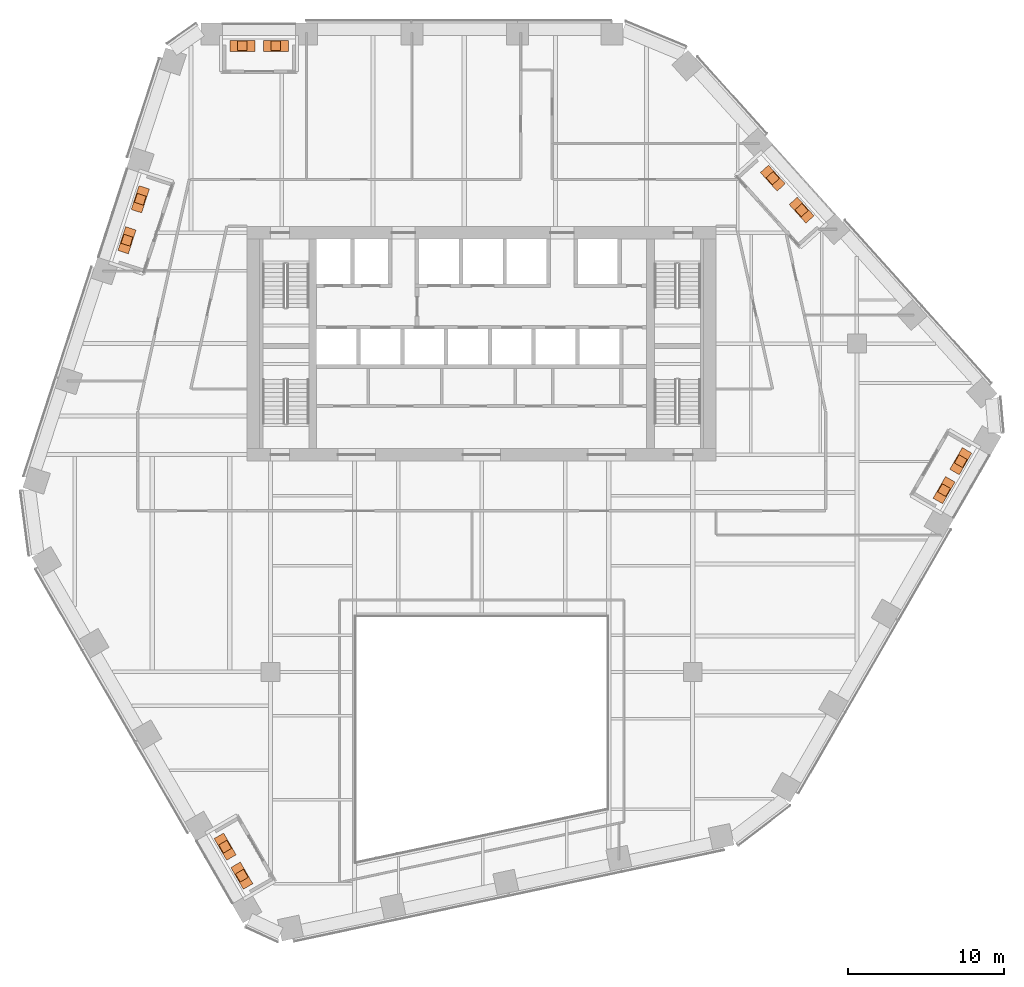
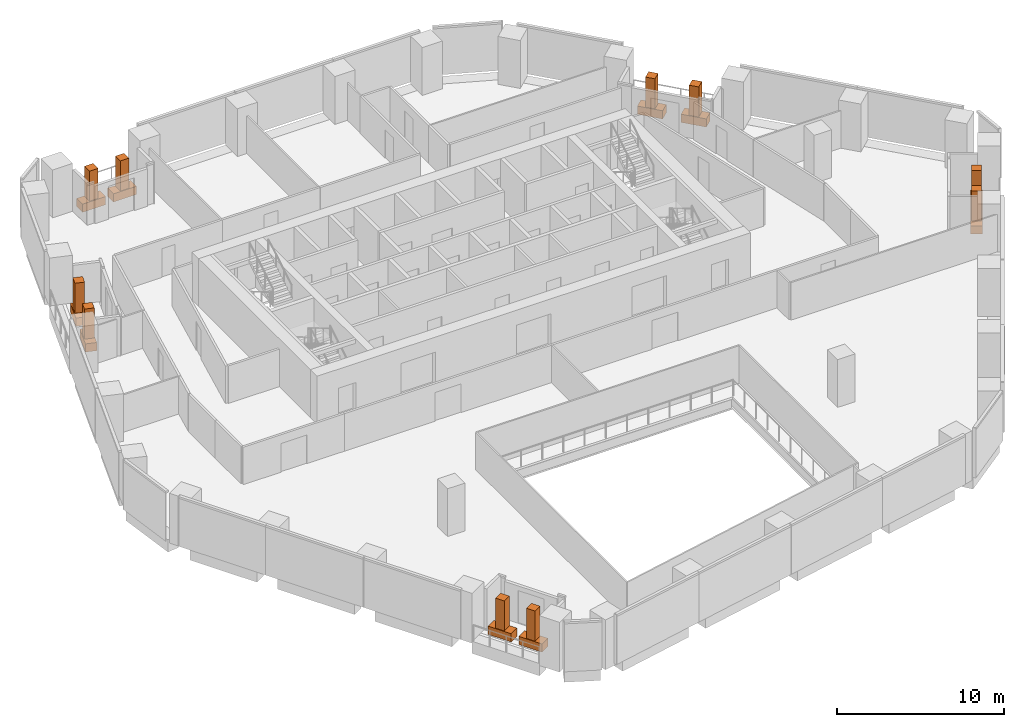
# One storey, part 26 of 26: 10 geographic elements, 10 proxies.
"""IFC4 building model written with IfcOpenShell, lengths in metres."""

from ifc_helpers import new_model, si_unit, direction, frame, origin, origin_2d, place, context, subcontext, project, spatial, rectangle, extrude, material, type_object, element, save


model = new_model("IFC4")

# Units and contexts
model_context = context("Model", 3, precision=1e-05, world=origin(), true_north=direction((0.0, 1.0)))
body_context = subcontext(model_context, "Body", "Model", "MODEL_VIEW")
ifc_project = project(units=[si_unit("LENGTHUNIT", "METRE"), si_unit("AREAUNIT", "SQUARE_METRE"), si_unit("VOLUMEUNIT", "CUBIC_METRE"), si_unit("PLANEANGLEUNIT", "RADIAN"), si_unit("MASSUNIT", "GRAM", prefix="KILO")], contexts=[model_context])

# Site, building, storey
site_placement = place(None, origin())
site = spatial("IfcSite", under=ifc_project, at=site_placement, CompositionType="ELEMENT")
building_placement = place(site_placement, origin())
building = spatial("IfcBuilding", under=site, at=building_placement, Name="Isthmus Gate Tower", CompositionType="ELEMENT")
storey_placement = place(building_placement, frame((0.0, 0.0, 144.39990234375)))
storey = spatial("IfcBuildingStorey", under=building, at=storey_placement, Name="L35", CompositionType="ELEMENT", Elevation=144.39990234375)

# Geographic elements
ifc_material_1 = material(Name="Plant material, broadleaf tree")
geographic_element_type = type_object("IfcGeographicElementType", Name="BROADLEAF TREE 2200 HIGH", PredefinedType="USERDEFINED", material=ifc_material_1)
for number, where, z_axis, x_axis, name in (
    (1, (-13.16748046875, 26.550048828125, 0.60009765625), (0.0, 0.0, 1.0), (-1.0, 0.0, 0.0), "TREE"),
    (2, (-15.306396484375, 26.550048828125, 0.60009765625), (0.0, 0.0, 1.0), (-1.0, 0.0, 0.0), "TREE"),
    (3, (-21.8359375, 16.733642578125, 0.60009765625), (0.0, 0.0, 1.0), (-0.309016994375, -0.951056516295, 0.0), "TREE"),
    (4, (-22.6875, 14.11279296875, 0.60009765625), (0.0, 0.0, 1.0), (-0.309016994375, -0.951056516295, 0.0), "TREE"),
    (5, (-16.4091796875, -24.67822265625, 0.60009765625), (0.0, 0.0, 1.0), (0.5, -0.866025403784, 0.0), "TREE"),
    (6, (-15.33984375, -26.53076171875, 0.60009765625), (0.0, 0.0, 1.0), (0.5, -0.866025403784, 0.0), "TREE"),
    (7, (29.57666015625, -1.871826171875, 0.60009765625), (0.0, 0.0, 1.0), (0.5, 0.866025403784, 0.0), "TREE"),
    (8, (30.646240234375, -0.019287109375, 0.60009765625), (0.0, 0.0, 1.0), (0.5, 0.866025403784, 0.0), "TREE"),
    (9, (20.46435546875, 16.035888671875, 0.60009765625), (0.0, 0.0, 1.0), (-0.669130606359, 0.743144825477, 0.0), "TREE"),
    (10, (18.620361328125, 18.083984375, 0.60009765625), (0.0, 0.0, 1.0), (-0.669130606359, 0.743144825477, 0.0), "TREE"),
):
    element("IfcGeographicElement", number, at=place(storey_placement, frame(where, z_axis=z_axis, x_axis=x_axis)), inside=storey, type_object=geographic_element_type, Name=name, ObjectType="TREE", PredefinedType="USERDEFINED", context=body_context, shape_type="SweptSolid", body=[
        extrude(rectangle(XDim=0.60009765625, YDim=0.60009765625, at=origin_2d()), origin(), (0.0, 0.0, 1.0), 2.199951171875),
    ])

# Proxies
ifc_material_2 = material(Name="Concrete f'c 40 MPa", Category="concrete")
building_element_proxy_type = type_object("IfcBuildingElementProxyType", Name="CONCRETE PLANTER 1600 X 700 X 600", PredefinedType="USERDEFINED", material=ifc_material_2)
for number, where, z_axis, x_axis, name in (
    (11, (-13.16748046875, 26.550048828125, 0.0), (0.0, 0.0, 1.0), (-1.0, 0.0, 0.0), "PLANTER"),
    (12, (-15.306396484375, 26.550048828125, 0.0), (0.0, 0.0, 1.0), (-1.0, 0.0, 0.0), "PLANTER"),
    (13, (-21.8359375, 16.733642578125, 0.0), (0.0, 0.0, 1.0), (-0.309016994375, -0.951056516295, 0.0), "PLANTER"),
    (14, (-22.6875, 14.11279296875, 0.0), (0.0, 0.0, 1.0), (-0.309016994375, -0.951056516295, 0.0), "PLANTER"),
    (15, (-16.4091796875, -24.67822265625, 0.0), (0.0, 0.0, 1.0), (0.5, -0.866025403784, 0.0), "PLANTER"),
    (16, (-15.33984375, -26.53076171875, 0.0), (0.0, 0.0, 1.0), (0.5, -0.866025403784, 0.0), "PLANTER"),
    (17, (29.57666015625, -1.871826171875, 0.0), (0.0, 0.0, 1.0), (0.5, 0.866025403784, 0.0), "PLANTER"),
    (18, (30.646240234375, -0.019287109375, 0.0), (0.0, 0.0, 1.0), (0.5, 0.866025403784, 0.0), "PLANTER"),
    (19, (20.46435546875, 16.035888671875, 0.0), (0.0, 0.0, 1.0), (-0.669130606359, 0.743144825477, 0.0), "PLANTER"),
    (20, (18.620361328125, 18.083984375, 0.0), (0.0, 0.0, 1.0), (-0.669130606359, 0.743144825477, 0.0), "PLANTER"),
):
    element("IfcBuildingElementProxy", number, at=place(storey_placement, frame(where, z_axis=z_axis, x_axis=x_axis)), inside=storey, type_object=building_element_proxy_type, Name=name, ObjectType="PLANTER", PredefinedType="USERDEFINED", context=body_context, shape_type="SweptSolid", body=[
        extrude(rectangle(XDim=1.60009765625, YDim=0.699951171875, at=origin_2d()), origin(), (0.0, 0.0, 1.0), 0.60009765625),
    ])

save(model, "model.ifc")
